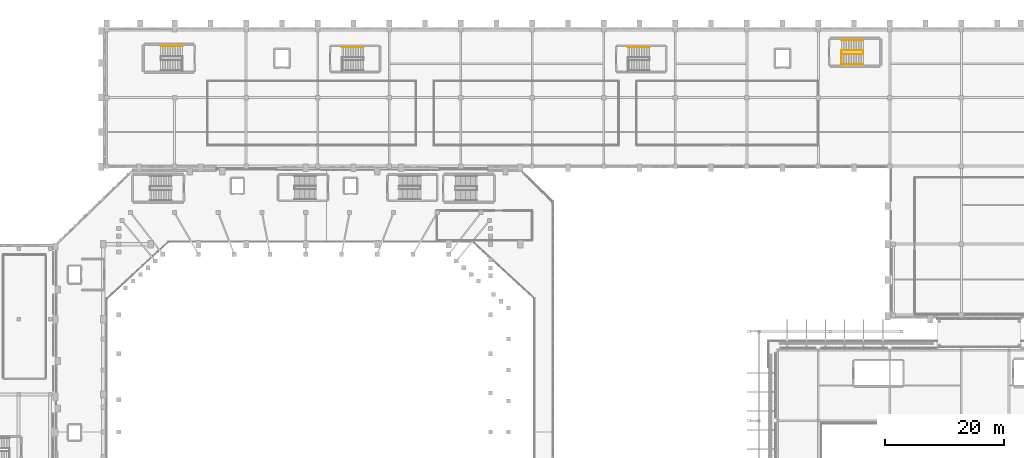
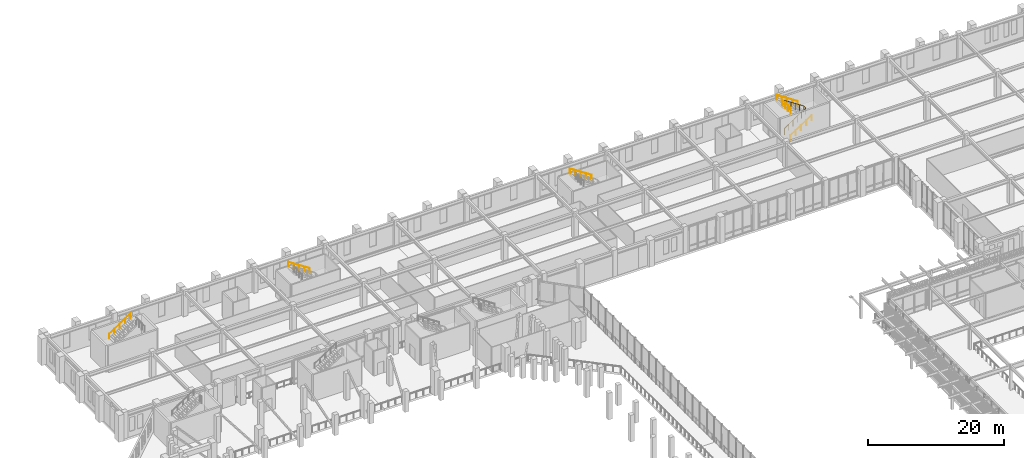
# One storey, part 125 of 126: 7 railings.
"""IFC4 building model written with IfcOpenShell, lengths in metres."""

from ifc_helpers import new_model, si_unit, derived_unit, direction, frame, origin, origin_2d, place, context, subcontext, project, spatial, circle, extrude, material, type_object, element, save


model = new_model("IFC4")

# Units and contexts
model_context = context("Model", 3, precision=1e-05, world=origin(), true_north=direction((0.0, 1.0)))
body_context = subcontext(model_context, "Body", "Model", "MODEL_VIEW")
ifc_project = project(units=[si_unit("LENGTHUNIT", "METRE"), si_unit("AREAUNIT", "SQUARE_METRE"), si_unit("VOLUMEUNIT", "CUBIC_METRE"), si_unit("PLANEANGLEUNIT", "RADIAN"), si_unit("MASSUNIT", "GRAM", prefix="KILO"), derived_unit("THERMALTRANSMITTANCEUNIT", [(si_unit("MASSUNIT", "GRAM", prefix="KILO"), 1), (si_unit("TIMEUNIT", "SECOND"), -3), (si_unit("THERMODYNAMICTEMPERATUREUNIT", "KELVIN"), -1)])], contexts=[model_context])

# Site, building, storey
site_placement = place(None, origin())
site = spatial("IfcSite", under=ifc_project, at=site_placement, CompositionType="ELEMENT")
building_placement = place(site_placement, origin())
building = spatial("IfcBuilding", under=site, at=building_placement, Name="Valcora Ridge Arena", CompositionType="ELEMENT")
storey_placement = place(building_placement, frame((0.0, 0.0, 11.39990234375)))
storey = spatial("IfcBuildingStorey", under=building, at=storey_placement, Name="L02", CompositionType="ELEMENT", Elevation=11.39990234375)

# Railings
ifc_material = material(Name="Galvanized painted steel ASTM A500 Grade B", Category="steel")
railing_type_1 = type_object("IfcRailingType", Name="TY-RAILING-GRD-STAIR-1120", PredefinedType="GUARDRAIL", material=ifc_material)
railing_1_placement = place(storey_placement, frame((147.909912109375, 127.5, 0.0)))
element("IfcRailing", 1, at=railing_1_placement, inside=storey, type_object=railing_type_1, Name="GRD-STAIR-1120 RAL-SG-0087", PredefinedType="GUARDRAIL", context=body_context, shape_type="SweptSolid", body=[
    extrude(circle(Radius=0.02392578125, at=origin_2d()), frame((0.0, 0.0, 1.09619140625), z_axis=(0.834856447115, 0.0, 0.55046772177), x_axis=(0.0, 1.0, 0.0)), (0.0, 0.0, 1.0), 4.360107421875),
    extrude(circle(Radius=0.02392578125, at=origin_2d()), frame((3.64013671875, 0.0, 3.49609375), z_axis=(0.0, 1.0, 0.0), x_axis=(-1.0, 0.0, 0.0)), (0.0, 0.0, 1.0), 0.60009765625),
    extrude(circle(Radius=0.02392578125, at=origin_2d()), frame((3.64013671875, 0.60009765625, 3.49609375), z_axis=(-0.83488217925, 0.0, 0.55042869363), x_axis=(0.0, -1.0, 0.0)), (0.0, 0.0, 1.0), 4.360107421875),
    extrude(circle(Radius=0.02099609375, at=origin_2d()), origin(), (0.0, 0.0, 1.0), 1.072021484375),
    extrude(circle(Radius=0.02099609375, at=origin_2d()), frame((0.72802734375, 0.0, 0.47998046875)), (0.0, 0.0, 1.0), 1.072021484375),
    extrude(circle(Radius=0.02099609375, at=origin_2d()), frame((1.4560546875, 0.0, 0.9599609375)), (0.0, 0.0, 1.0), 1.072021484375),
    extrude(circle(Radius=0.02099609375, at=origin_2d()), frame((2.18408203125, 0.0, 1.440185546875)), (0.0, 0.0, 1.0), 1.072021484375),
    extrude(circle(Radius=0.02099609375, at=origin_2d()), frame((2.912109375, 0.0, 1.920166015625)), (0.0, 0.0, 1.0), 1.072021484375),
    extrude(circle(Radius=0.02099609375, at=origin_2d()), frame((3.64013671875, 0.0, 2.400146484375)), (0.0, 0.0, 1.0), 1.072021484375),
    extrude(circle(Radius=0.02099609375, at=origin_2d()), frame((3.64013671875, 0.60009765625, 2.400146484375)), (0.0, 0.0, 1.0), 1.072021484375),
    extrude(circle(Radius=0.02099609375, at=origin_2d()), frame((2.912109375, 0.60009765625, 2.880126953125)), (0.0, 0.0, 1.0), 1.072021484375),
    extrude(circle(Radius=0.02099609375, at=origin_2d()), frame((2.18408203125, 0.60009765625, 3.360107421875)), (0.0, 0.0, 1.0), 1.072021484375),
    extrude(circle(Radius=0.02099609375, at=origin_2d()), frame((1.4560546875, 0.60009765625, 3.840087890625)), (0.0, 0.0, 1.0), 1.072021484375),
    extrude(circle(Radius=0.02099609375, at=origin_2d()), frame((0.72802734375, 0.60009765625, 4.320068359375)), (0.0, 0.0, 1.0), 1.072021484375),
    extrude(circle(Radius=0.02099609375, at=origin_2d()), frame((0.0, 0.60009765625, 4.800048828125)), (0.0, 0.0, 1.0), 1.072021484375),
])
railing_2_placement = place(storey_placement, frame((147.909912109375, 125.64990234375, 4.800048828125)))
element("IfcRailing", 2, at=railing_2_placement, inside=storey, type_object=railing_type_1, Name="GRD-STAIR-1120 RAL-SG-0088", PredefinedType="GUARDRAIL", context=body_context, shape_type="SweptSolid", body=[
    extrude(circle(Radius=0.02392578125, at=origin_2d()), frame((0.0, 0.0, 1.09619140625), z_axis=(0.0, 1.0, 0.0), x_axis=(-1.0, 0.0, 0.0)), (0.0, 0.0, 1.0), 2.4501953125),
    extrude(circle(Radius=0.02099609375, at=origin_2d()), origin(), (0.0, 0.0, 1.0), 1.072021484375),
    extrude(circle(Radius=0.02099609375, at=origin_2d()), frame((0.0, 0.816650390625, 0.0)), (0.0, 0.0, 1.0), 1.072021484375),
    extrude(circle(Radius=0.02099609375, at=origin_2d()), frame((0.0, 1.633544921875, 0.0)), (0.0, 0.0, 1.0), 1.072021484375),
    extrude(circle(Radius=0.02099609375, at=origin_2d()), frame((0.0, 2.4501953125, 0.0)), (0.0, 0.0, 1.0), 1.072021484375),
])
railing_type_2 = type_object("IfcRailingType", Name="TY-RAILING-HR-STAIR-900", PredefinedType="HANDRAIL", material=ifc_material)
railing_3_placement = place(storey_placement, frame((33.64990234375, 128.860107421875, 2.400146484375)))
element("IfcRailing", 3, at=railing_3_placement, inside=storey, type_object=railing_type_2, Name="HR-STAIR-900 RAL-SH-0080", PredefinedType="HANDRAIL", context=body_context, shape_type="SweptSolid", body=[
    extrude(circle(Radius=0.02392578125, at=origin_2d()), frame((0.0, 0.0, 0.8759765625), z_axis=(0.83488217925, 0.0, 0.55042869363), x_axis=(0.0, 1.0, 0.0)), (0.0, 0.0, 1.0), 4.360107421875),
    extrude(circle(Radius=0.02099609375, at=origin_2d()), origin(), (0.0, 0.0, 1.0), 0.851806640625),
    extrude(circle(Radius=0.02099609375, at=origin_2d()), frame((0.91015625, 0.0, 0.60009765625)), (0.0, 0.0, 1.0), 0.851806640625),
    extrude(circle(Radius=0.02099609375, at=origin_2d()), frame((1.820068359375, 0.0, 1.199951171875)), (0.0, 0.0, 1.0), 0.851806640625),
    extrude(circle(Radius=0.02099609375, at=origin_2d()), frame((2.72998046875, 0.0, 1.7998046875)), (0.0, 0.0, 1.0), 0.851806640625),
    extrude(circle(Radius=0.02099609375, at=origin_2d()), frame((3.64013671875, 0.0, 2.39990234375)), (0.0, 0.0, 1.0), 0.851806640625),
])
railing_4_placement = place(storey_placement, frame((147.909912109375, 125.739990234375, 0.0)))
element("IfcRailing", 4, at=railing_4_placement, inside=storey, type_object=railing_type_2, Name="HR-STAIR-900 RAL-SH-0087", PredefinedType="HANDRAIL", context=body_context, shape_type="SweptSolid", body=[
    extrude(circle(Radius=0.02392578125, at=origin_2d()), frame((0.0, 0.0, 0.8759765625), z_axis=(0.834856447115, 0.0, 0.55046772177), x_axis=(0.0, 1.0, 0.0)), (0.0, 0.0, 1.0), 4.360107421875),
    extrude(circle(Radius=0.02099609375, at=origin_2d()), origin(), (0.0, 0.0, 1.0), 0.851806640625),
    extrude(circle(Radius=0.02099609375, at=origin_2d()), frame((0.91015625, 0.0, 0.60009765625)), (0.0, 0.0, 1.0), 0.851806640625),
    extrude(circle(Radius=0.02099609375, at=origin_2d()), frame((1.820068359375, 0.0, 1.2001953125)), (0.0, 0.0, 1.0), 0.851806640625),
    extrude(circle(Radius=0.02099609375, at=origin_2d()), frame((2.72998046875, 0.0, 1.800048828125)), (0.0, 0.0, 1.0), 0.851806640625),
    extrude(circle(Radius=0.02099609375, at=origin_2d()), frame((3.64013671875, 0.0, 2.400146484375)), (0.0, 0.0, 1.0), 0.851806640625),
])
railing_5_placement = place(storey_placement, frame((151.550048828125, 129.860107421875, 2.400146484375)))
element("IfcRailing", 5, at=railing_5_placement, inside=storey, type_object=railing_type_2, Name="HR-STAIR-900 RAL-SH-0088", PredefinedType="HANDRAIL", context=body_context, shape_type="SweptSolid", body=[
    extrude(circle(Radius=0.02392578125, at=origin_2d()), frame((0.0, 0.0, 0.8759765625), z_axis=(-0.83488217925, 0.0, 0.55042869363), x_axis=(0.0, -1.0, 0.0)), (0.0, 0.0, 1.0), 4.360107421875),
    extrude(circle(Radius=0.02099609375, at=origin_2d()), origin(), (0.0, 0.0, 1.0), 0.851806640625),
    extrude(circle(Radius=0.02099609375, at=origin_2d()), frame((-0.91015625, 0.0, 0.60009765625)), (0.0, 0.0, 1.0), 0.851806640625),
    extrude(circle(Radius=0.02099609375, at=origin_2d()), frame((-1.820068359375, 0.0, 1.199951171875)), (0.0, 0.0, 1.0), 0.851806640625),
    extrude(circle(Radius=0.02099609375, at=origin_2d()), frame((-2.72998046875, 0.0, 1.7998046875)), (0.0, 0.0, 1.0), 0.851806640625),
    extrude(circle(Radius=0.02099609375, at=origin_2d()), frame((-3.64013671875, 0.0, 2.39990234375)), (0.0, 0.0, 1.0), 0.851806640625),
])
for number, where, name in (
    (6, (67.699951171875, 128.659912109375, 2.400146484375), "HR-STAIR-900 RAL-SH-0160"),
    (7, (115.699951171875, 128.659912109375, 2.400146484375), "HR-STAIR-900 RAL-SH-0166"),
):
    element("IfcRailing", number, at=place(storey_placement, frame(where)), inside=storey, type_object=railing_type_2, Name=name, PredefinedType="HANDRAIL", context=body_context, shape_type="SweptSolid", body=[
        extrude(circle(Radius=0.02392578125, at=origin_2d()), frame((0.0, 0.0, 0.8759765625), z_axis=(-0.834865213223, 0.0, 0.550454426587), x_axis=(0.0, -1.0, 0.0)), (0.0, 0.0, 1.0), 4.35986328125),
        extrude(circle(Radius=0.02099609375, at=origin_2d()), origin(), (0.0, 0.0, 1.0), 0.851806640625),
        extrude(circle(Radius=0.02099609375, at=origin_2d()), frame((-0.909912109375, 0.0, 0.60009765625)), (0.0, 0.0, 1.0), 0.851806640625),
        extrude(circle(Radius=0.02099609375, at=origin_2d()), frame((-1.81982421875, 0.0, 1.199951171875)), (0.0, 0.0, 1.0), 0.851806640625),
        extrude(circle(Radius=0.02099609375, at=origin_2d()), frame((-2.72998046875, 0.0, 1.7998046875)), (0.0, 0.0, 1.0), 0.851806640625),
        extrude(circle(Radius=0.02099609375, at=origin_2d()), frame((-3.639892578125, 0.0, 2.39990234375)), (0.0, 0.0, 1.0), 0.851806640625),
    ])

save(model, "model.ifc")
